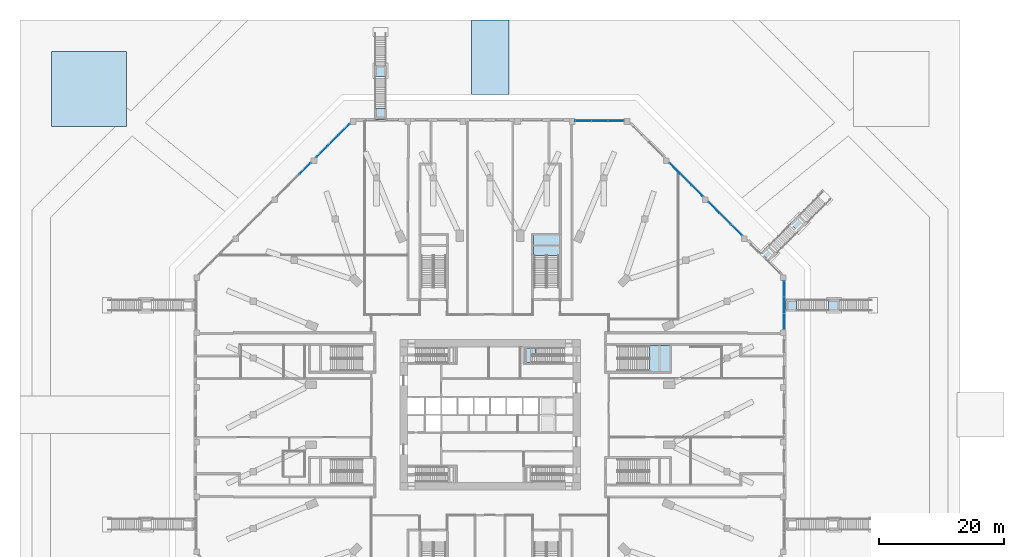
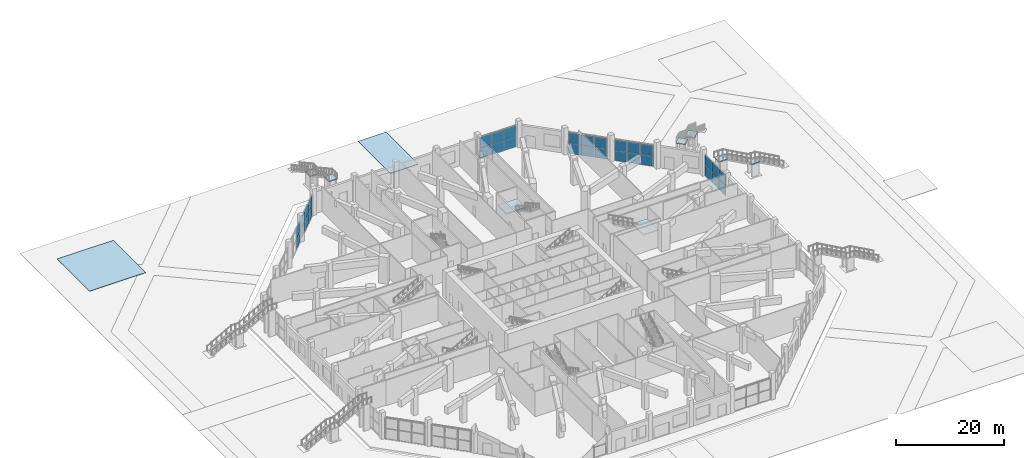
# One storey, part 18 of 36: 32 plates, 11 slabs, 12 elements without a shape of their own.
"""IFC4 building model written with IfcOpenShell, lengths in metres."""

from ifc_helpers import new_model, si_unit, direction, frame, origin, origin_2d, place, context, subcontext, project, spatial, polyline, rectangle, outline, extrude, material, layer, layer_set, constituent, constituent_set, type_object, element, aggregate, save


model = new_model("IFC4")

# Units and contexts
model_context = context("Model", 3, precision=1e-05, world=origin(), true_north=direction((0.0, 1.0)))
body_context = subcontext(model_context, "Body", "Model", "MODEL_VIEW")
ifc_project = project(units=[si_unit("LENGTHUNIT", "METRE"), si_unit("AREAUNIT", "SQUARE_METRE"), si_unit("VOLUMEUNIT", "CUBIC_METRE"), si_unit("PLANEANGLEUNIT", "RADIAN"), si_unit("MASSUNIT", "GRAM", prefix="KILO")], contexts=[model_context])

# Site, building, storey
site_placement = place(None, origin())
site = spatial("IfcSite", under=ifc_project, at=site_placement, CompositionType="ELEMENT")
building_placement = place(site_placement, origin())
building = spatial("IfcBuilding", under=site, at=building_placement, Name="Msitu Wima Residences", CompositionType="ELEMENT")
storey_placement = place(building_placement, origin())
storey = spatial("IfcBuildingStorey", under=building, at=storey_placement, Name="L00", CompositionType="ELEMENT", Elevation=0.0)

# Stair, slabs
ifc_material_1 = material(Name="Concrete C40/50", Category="concrete")
stair_type_1 = type_object("IfcStairType", Name="External stair garden STAIR", PredefinedType="NOTDEFINED", material=ifc_material_1)
stair_1_placement = place(storey_placement, origin())
stair_1 = element("IfcStair", 1, at=stair_1_placement, inside=storey, type_object=stair_type_1, Name="External stair NE1", PredefinedType="NOTDEFINED")
ifc_layer_1 = layer(ifc_material_1, 0.199951171875)
ifc_layer_set_1 = layer_set([ifc_layer_1], Name="Concrete C40/50")
slab_type_1 = type_object("IfcSlabType", Name="External stair landing LD1800", PredefinedType="LANDING", material=ifc_layer_set_1)
slab_1_placement = place(storey_placement, frame((0.0, 0.0, 5.800048828125)))
slab_1 = element("IfcSlab", 2, at=slab_1_placement, type_object=slab_type_1, Name="ES1 landing 1", PredefinedType="LANDING", context=body_context, shape_type="SweptSolid", body=[
    extrude(outline(polyline([(44.530517578125, 24.549560546875), (43.2578125, 25.822509765625), (44.530517578125, 27.09521484375), (45.80322265625, 25.822509765625), (44.530517578125, 24.549560546875)])), origin(), (0.0, 0.0, 1.0), 0.199951171875),
])
slab_2_placement = place(storey_placement, frame((0.0, 0.0, 2.800048828125)))
slab_2 = element("IfcSlab", 3, at=slab_2_placement, type_object=slab_type_1, Name="ES1 landing 2", PredefinedType="LANDING", context=body_context, shape_type="SweptSolid", body=[
    extrude(outline(polyline([(49.190673828125, 29.2099609375), (47.91796875, 30.482666015625), (49.40966796875, 31.97412109375), (50.682373046875, 30.701416015625), (49.190673828125, 29.2099609375)])), origin(), (0.0, 0.0, 1.0), 0.199951171875),
])
aggregate(stair_1, [slab_1, slab_2])

# Slabs
ifc_material_2 = material(Name="Clay pavers")
ifc_layer_2 = layer(ifc_material_2, 0.0400390625, Name="Clay pavers")
ifc_material_3 = material(Name="Concrete C30/37", Category="concrete")
ifc_layer_3 = layer(ifc_material_3, 0.110107421875, Name="Concrete C30/37")
ifc_layer_set_2 = layer_set([ifc_layer_2, ifc_layer_3], Name="Concrete C30/37")
slab_type_2 = type_object("IfcSlabType", Name="Garden paving slab PG150", PredefinedType="USERDEFINED", material=ifc_layer_set_2)
slab_3_placement = place(storey_placement, frame((0.0, 0.0, -0.14990234375)))
element("IfcSlab", 4, at=slab_3_placement, inside=storey, type_object=slab_type_2, Name="Garden path N paving", ObjectType="PAVING", PredefinedType="USERDEFINED", context=body_context, shape_type="SweptSolid", body=[
    extrude(outline(polyline([(3.0, 51.10009765625), (3.0, 63.0), (-3.0, 63.0), (-3.0, 51.10009765625), (3.0, 51.10009765625)])), origin(), (0.0, 0.0, 1.0), 0.14990234375),
])
slab_4_placement = place(storey_placement, frame((0.0, 0.0, -0.14990234375)))
element("IfcSlab", 5, at=slab_4_placement, inside=storey, type_object=slab_type_2, Name="Garden plaza NW paving", ObjectType="PAVING", PredefinedType="USERDEFINED", context=body_context, shape_type="SweptSolid", body=[
    extrude(outline(polyline([(-70.0, 46.0), (-58.0, 46.0), (-58.0, 58.0), (-70.0, 58.0), (-70.0, 46.0)])), origin(), (0.0, 0.0, 1.0), 0.14990234375),
])

# Stair, slabs
ifc_constituent_1 = constituent(ifc_material_1, Name="Concrete C40/50")
ifc_material_4 = material(Name="Exposed aggregate finish")
ifc_constituent_2 = constituent(ifc_material_4, Name="Exposed aggregate finish")
ifc_constituent_set = constituent_set(constituents=[ifc_constituent_1, ifc_constituent_2], Name="Concrete C40/50")
stair_type_2 = type_object("IfcStairType", Name="Garden stair GX1667-180", PredefinedType="STRAIGHT_RUN_STAIR", material=ifc_constituent_set)
stair_2_placement = place(storey_placement, origin())
stair_2 = element("IfcStair", 6, at=stair_2_placement, inside=storey, type_object=stair_type_2, Name="Garden stair 1", PredefinedType="STRAIGHT_RUN_STAIR")
ifc_layer_4 = layer(ifc_material_1, 0.199951171875)
ifc_layer_set_3 = layer_set([ifc_layer_4], Name="Concrete C40/50")
slab_type_3 = type_object("IfcSlabType", Name="Garden stair landing LG200", PredefinedType="LANDING", material=ifc_layer_set_3)
slab_5_placement = place(storey_placement, frame((0.0, 0.0, 5.800048828125)))
slab_5 = element("IfcSlab", 7, at=slab_5_placement, type_object=slab_type_3, Name="GS1 landing 1", PredefinedType="LANDING", context=body_context, shape_type="SweptSolid", body=[
    extrude(outline(polyline([(47.10009765625, 16.584716796875), (47.10009765625, 18.384765625), (48.89990234375, 18.384765625), (48.89990234375, 16.584716796875), (47.10009765625, 16.584716796875)])), origin(), (0.0, 0.0, 1.0), 0.199951171875),
])
slab_6_placement = place(storey_placement, frame((0.0, 0.0, 2.800048828125)))
slab_6 = element("IfcSlab", 8, at=slab_6_placement, type_object=slab_type_3, Name="GS1 landing 2", PredefinedType="LANDING", context=body_context, shape_type="SweptSolid", body=[
    extrude(outline(polyline([(54.0, 16.584716796875), (54.0, 18.384765625), (55.800048828125, 18.384765625), (55.800048828125, 16.584716796875), (54.0, 16.584716796875)])), origin(), (0.0, 0.0, 1.0), 0.199951171875),
])
aggregate(stair_2, [slab_5, slab_6])

stair_3_placement = place(storey_placement, origin())
stair_3 = element("IfcStair", 9, at=stair_3_placement, inside=storey, type_object=stair_type_2, Name="Garden stair 5", PredefinedType="STRAIGHT_RUN_STAIR")
slab_7_placement = place(storey_placement, frame((0.0, 0.0, 5.800048828125)))
slab_7 = element("IfcSlab", 10, at=slab_7_placement, type_object=slab_type_3, Name="GS5 landing 1", PredefinedType="LANDING", context=body_context, shape_type="SweptSolid", body=[
    extrude(outline(polyline([(-16.584716796875, 47.10009765625), (-18.384765625, 47.10009765625), (-18.384765625, 48.89990234375), (-16.584716796875, 48.89990234375), (-16.584716796875, 47.10009765625)])), origin(), (0.0, 0.0, 1.0), 0.199951171875),
])
slab_8_placement = place(storey_placement, frame((0.0, 0.0, 2.800048828125)))
slab_8 = element("IfcSlab", 11, at=slab_8_placement, type_object=slab_type_3, Name="GS5 landing 2", PredefinedType="LANDING", context=body_context, shape_type="SweptSolid", body=[
    extrude(outline(polyline([(-16.584716796875, 54.0), (-18.384765625, 54.0), (-18.384765625, 55.800048828125), (-16.584716796875, 55.800048828125), (-16.584716796875, 54.0)])), origin(), (0.0, 0.0, 1.0), 0.199951171875),
])
aggregate(stair_3, [slab_7, slab_8])

# Curtain wall, plates
ifc_material_5 = material(Name="Anodised aluminium, bronze finish, clear laminated low-emissivity double glazing", Category="aluminium")
curtain_wall_type = type_object("IfcCurtainWallType", Name="Curtain wall CW1 shopfront", PredefinedType="NOTDEFINED", material=ifc_material_5)
curtain_wall_1_placement = place(storey_placement, origin())
curtain_wall_1 = element("IfcCurtainWall", 12, at=curtain_wall_1_placement, inside=storey, type_object=curtain_wall_type, Name="Curtain wall CW1 L00 E4", PredefinedType="NOTDEFINED")
ifc_material_6 = material(Name="Clear laminated low-emissivity double glazing", Category="glass")
ifc_layer_5 = layer(ifc_material_6, 0.035888671875)
ifc_layer_set_4 = layer_set([ifc_layer_5], Name="Clear laminated low-emissivity double glazing")
plate_type = type_object("IfcPlateType", Name="Glass panel CW1 36", PredefinedType="CURTAIN_PANEL", material=ifc_layer_set_4)
plate_1_placement = place(storey_placement, frame((46.89990234375, 14.88671875, 0.06494140625), z_axis=(0.0, 0.0, 1.0), x_axis=(0.0, 1.0, 0.0)))
plate_1 = element("IfcPlate", 13, at=plate_1_placement, type_object=plate_type, Name="CW1 panel 1.1", PredefinedType="CURTAIN_PANEL", context=body_context, shape_type="SweptSolid", body=[
    extrude(rectangle(XDim=2.5166015625, YDim=0.035888671875, at=origin_2d()), origin(), (0.0, 0.0, 1.0), 2.302490234375),
])
plate_2_placement = place(storey_placement, frame((46.89990234375, 14.88671875, 2.4326171875), z_axis=(0.0, 0.0, 1.0), x_axis=(0.0, 1.0, 0.0)))
plate_2 = element("IfcPlate", 14, at=plate_2_placement, type_object=plate_type, Name="CW1 panel 1.2", PredefinedType="CURTAIN_PANEL", context=body_context, shape_type="SweptSolid", body=[
    extrude(rectangle(XDim=2.5166015625, YDim=0.035888671875, at=origin_2d()), origin(), (0.0, 0.0, 1.0), 2.302490234375),
])
plate_3_placement = place(storey_placement, frame((46.89990234375, 17.484619140625, 0.06494140625), z_axis=(0.0, 0.0, 1.0), x_axis=(0.0, 1.0, 0.0)))
plate_3 = element("IfcPlate", 15, at=plate_3_placement, type_object=plate_type, Name="CW1 panel 2.1", PredefinedType="CURTAIN_PANEL", context=body_context, shape_type="SweptSolid", body=[
    extrude(rectangle(XDim=2.549072265625, YDim=0.035888671875, at=origin_2d()), origin(), (0.0, 0.0, 1.0), 2.302490234375),
])
plate_4_placement = place(storey_placement, frame((46.89990234375, 17.484619140625, 2.4326171875), z_axis=(0.0, 0.0, 1.0), x_axis=(0.0, 1.0, 0.0)))
plate_4 = element("IfcPlate", 16, at=plate_4_placement, type_object=plate_type, Name="CW1 panel 2.2", PredefinedType="CURTAIN_PANEL", context=body_context, shape_type="SweptSolid", body=[
    extrude(rectangle(XDim=2.549072265625, YDim=0.035888671875, at=origin_2d()), origin(), (0.0, 0.0, 1.0), 2.302490234375),
])
plate_5_placement = place(storey_placement, frame((46.89990234375, 20.08251953125, 0.06494140625), z_axis=(0.0, 0.0, 1.0), x_axis=(0.0, 1.0, 0.0)))
plate_5 = element("IfcPlate", 17, at=plate_5_placement, type_object=plate_type, Name="CW1 panel 3.1", PredefinedType="CURTAIN_PANEL", context=body_context, shape_type="SweptSolid", body=[
    extrude(rectangle(XDim=2.5166015625, YDim=0.035888671875, at=origin_2d()), origin(), (0.0, 0.0, 1.0), 2.302490234375),
])
plate_6_placement = place(storey_placement, frame((46.89990234375, 20.08251953125, 2.4326171875), z_axis=(0.0, 0.0, 1.0), x_axis=(0.0, 1.0, 0.0)))
plate_6 = element("IfcPlate", 18, at=plate_6_placement, type_object=plate_type, Name="CW1 panel 3.2", PredefinedType="CURTAIN_PANEL", context=body_context, shape_type="SweptSolid", body=[
    extrude(rectangle(XDim=2.5166015625, YDim=0.035888671875, at=origin_2d()), origin(), (0.0, 0.0, 1.0), 2.302490234375),
])
aggregate(curtain_wall_1, [plate_1, plate_2, plate_3, plate_4, plate_5, plate_6])

curtain_wall_2_placement = place(storey_placement, origin())
curtain_wall_2 = element("IfcCurtainWall", 19, at=curtain_wall_2_placement, inside=storey, type_object=curtain_wall_type, Name="Curtain wall CW1 L00 NE1", PredefinedType="NOTDEFINED")
plate_7_placement = place(storey_placement, frame((39.283935546875, 29.513427734375, 0.06494140625), z_axis=(0.0, 0.0, 1.0), x_axis=(-0.707106781187, 0.707106781187, 0.0)))
plate_7 = element("IfcPlate", 20, at=plate_7_placement, type_object=plate_type, Name="CW1 panel 1.1", PredefinedType="CURTAIN_PANEL", context=body_context, shape_type="SweptSolid", body=[
    extrude(rectangle(XDim=2.41796875, YDim=0.035888671875, at=origin_2d()), origin(), (0.0, 0.0, 1.0), 2.302490234375),
])
plate_8_placement = place(storey_placement, frame((39.283935546875, 29.513427734375, 2.4326171875), z_axis=(0.0, 0.0, 1.0), x_axis=(-0.707106781187, 0.707106781187, 0.0)))
plate_8 = element("IfcPlate", 21, at=plate_8_placement, type_object=plate_type, Name="CW1 panel 1.2", PredefinedType="CURTAIN_PANEL", context=body_context, shape_type="SweptSolid", body=[
    extrude(rectangle(XDim=2.41796875, YDim=0.035888671875, at=origin_2d()), origin(), (0.0, 0.0, 1.0), 2.302490234375),
])
plate_9_placement = place(storey_placement, frame((37.5166015625, 31.280517578125, 0.06494140625), z_axis=(0.0, 0.0, 1.0), x_axis=(-0.707106781187, 0.707106781187, 0.0)))
plate_9 = element("IfcPlate", 22, at=plate_9_placement, type_object=plate_type, Name="CW1 panel 2.1", PredefinedType="CURTAIN_PANEL", context=body_context, shape_type="SweptSolid", body=[
    extrude(rectangle(XDim=2.450439453125, YDim=0.035888671875, at=origin_2d()), origin(), (0.0, 0.0, 1.0), 2.302490234375),
])
plate_10_placement = place(storey_placement, frame((37.5166015625, 31.280517578125, 2.4326171875), z_axis=(0.0, 0.0, 1.0), x_axis=(-0.707106781187, 0.707106781187, 0.0)))
plate_10 = element("IfcPlate", 23, at=plate_10_placement, type_object=plate_type, Name="CW1 panel 2.2", PredefinedType="CURTAIN_PANEL", context=body_context, shape_type="SweptSolid", body=[
    extrude(rectangle(XDim=2.450439453125, YDim=0.035888671875, at=origin_2d()), origin(), (0.0, 0.0, 1.0), 2.302490234375),
])
plate_11_placement = place(storey_placement, frame((35.74951171875, 33.0478515625, 0.06494140625), z_axis=(0.0, 0.0, 1.0), x_axis=(-0.707106781187, 0.707106781187, 0.0)))
plate_11 = element("IfcPlate", 24, at=plate_11_placement, type_object=plate_type, Name="CW1 panel 3.1", PredefinedType="CURTAIN_PANEL", context=body_context, shape_type="SweptSolid", body=[
    extrude(rectangle(XDim=2.41796875, YDim=0.035888671875, at=origin_2d()), origin(), (0.0, 0.0, 1.0), 2.302490234375),
])
plate_12_placement = place(storey_placement, frame((35.74951171875, 33.0478515625, 2.4326171875), z_axis=(0.0, 0.0, 1.0), x_axis=(-0.707106781187, 0.707106781187, 0.0)))
plate_12 = element("IfcPlate", 25, at=plate_12_placement, type_object=plate_type, Name="CW1 panel 3.2", PredefinedType="CURTAIN_PANEL", context=body_context, shape_type="SweptSolid", body=[
    extrude(rectangle(XDim=2.41796875, YDim=0.035888671875, at=origin_2d()), origin(), (0.0, 0.0, 1.0), 2.302490234375),
])
aggregate(curtain_wall_2, [plate_7, plate_8, plate_9, plate_10, plate_11, plate_12])

curtain_wall_3_placement = place(storey_placement, origin())
curtain_wall_3 = element("IfcCurtainWall", 26, at=curtain_wall_3_placement, inside=storey, type_object=curtain_wall_type, Name="Curtain wall CW1 L00 NE2", PredefinedType="NOTDEFINED")
plate_13_placement = place(storey_placement, frame((33.0478515625, 35.74951171875, 0.06494140625), z_axis=(0.0, 0.0, 1.0), x_axis=(-0.707106781187, 0.707106781187, 0.0)))
plate_13 = element("IfcPlate", 27, at=plate_13_placement, type_object=plate_type, Name="CW1 panel 1.1", PredefinedType="CURTAIN_PANEL", context=body_context, shape_type="SweptSolid", body=[
    extrude(rectangle(XDim=2.41796875, YDim=0.035888671875, at=origin_2d()), origin(), (0.0, 0.0, 1.0), 2.302490234375),
])
plate_14_placement = place(storey_placement, frame((33.0478515625, 35.74951171875, 2.4326171875), z_axis=(0.0, 0.0, 1.0), x_axis=(-0.707106781187, 0.707106781187, 0.0)))
plate_14 = element("IfcPlate", 28, at=plate_14_placement, type_object=plate_type, Name="CW1 panel 1.2", PredefinedType="CURTAIN_PANEL", context=body_context, shape_type="SweptSolid", body=[
    extrude(rectangle(XDim=2.41796875, YDim=0.035888671875, at=origin_2d()), origin(), (0.0, 0.0, 1.0), 2.302490234375),
])
plate_15_placement = place(storey_placement, frame((31.280517578125, 37.5166015625, 0.06494140625), z_axis=(0.0, 0.0, 1.0), x_axis=(-0.707106781187, 0.707106781187, 0.0)))
plate_15 = element("IfcPlate", 29, at=plate_15_placement, type_object=plate_type, Name="CW1 panel 2.1", PredefinedType="CURTAIN_PANEL", context=body_context, shape_type="SweptSolid", body=[
    extrude(rectangle(XDim=2.450439453125, YDim=0.035888671875, at=origin_2d()), origin(), (0.0, 0.0, 1.0), 2.302490234375),
])
plate_16_placement = place(storey_placement, frame((31.280517578125, 37.5166015625, 2.4326171875), z_axis=(0.0, 0.0, 1.0), x_axis=(-0.707106781187, 0.707106781187, 0.0)))
plate_16 = element("IfcPlate", 30, at=plate_16_placement, type_object=plate_type, Name="CW1 panel 2.2", PredefinedType="CURTAIN_PANEL", context=body_context, shape_type="SweptSolid", body=[
    extrude(rectangle(XDim=2.450439453125, YDim=0.035888671875, at=origin_2d()), origin(), (0.0, 0.0, 1.0), 2.302490234375),
])
plate_17_placement = place(storey_placement, frame((29.513427734375, 39.283935546875, 0.06494140625), z_axis=(0.0, 0.0, 1.0), x_axis=(-0.707106781187, 0.707106781187, 0.0)))
plate_17 = element("IfcPlate", 31, at=plate_17_placement, type_object=plate_type, Name="CW1 panel 3.1", PredefinedType="CURTAIN_PANEL", context=body_context, shape_type="SweptSolid", body=[
    extrude(rectangle(XDim=2.41796875, YDim=0.035888671875, at=origin_2d()), origin(), (0.0, 0.0, 1.0), 2.302490234375),
])
plate_18_placement = place(storey_placement, frame((29.513427734375, 39.283935546875, 2.4326171875), z_axis=(0.0, 0.0, 1.0), x_axis=(-0.707106781187, 0.707106781187, 0.0)))
plate_18 = element("IfcPlate", 32, at=plate_18_placement, type_object=plate_type, Name="CW1 panel 3.2", PredefinedType="CURTAIN_PANEL", context=body_context, shape_type="SweptSolid", body=[
    extrude(rectangle(XDim=2.41796875, YDim=0.035888671875, at=origin_2d()), origin(), (0.0, 0.0, 1.0), 2.302490234375),
])
aggregate(curtain_wall_3, [plate_13, plate_14, plate_15, plate_16, plate_17, plate_18])

curtain_wall_4_placement = place(storey_placement, origin())
curtain_wall_4 = element("IfcCurtainWall", 33, at=curtain_wall_4_placement, inside=storey, type_object=curtain_wall_type, Name="Curtain wall CW1 L00 N0", PredefinedType="NOTDEFINED")
plate_19_placement = place(storey_placement, frame((20.08251953125, 46.89990234375, 0.06494140625), z_axis=(0.0, 0.0, 1.0), x_axis=(-1.0, 0.0, 0.0)))
plate_19 = element("IfcPlate", 34, at=plate_19_placement, type_object=plate_type, Name="CW1 panel 1.1", PredefinedType="CURTAIN_PANEL", context=body_context, shape_type="SweptSolid", body=[
    extrude(rectangle(XDim=2.5166015625, YDim=0.035888671875, at=origin_2d()), origin(), (0.0, 0.0, 1.0), 2.302490234375),
])
plate_20_placement = place(storey_placement, frame((20.08251953125, 46.89990234375, 2.4326171875), z_axis=(0.0, 0.0, 1.0), x_axis=(-1.0, 0.0, 0.0)))
plate_20 = element("IfcPlate", 35, at=plate_20_placement, type_object=plate_type, Name="CW1 panel 1.2", PredefinedType="CURTAIN_PANEL", context=body_context, shape_type="SweptSolid", body=[
    extrude(rectangle(XDim=2.5166015625, YDim=0.035888671875, at=origin_2d()), origin(), (0.0, 0.0, 1.0), 2.302490234375),
])
plate_21_placement = place(storey_placement, frame((17.484619140625, 46.89990234375, 0.06494140625), z_axis=(0.0, 0.0, 1.0), x_axis=(-1.0, 0.0, 0.0)))
plate_21 = element("IfcPlate", 36, at=plate_21_placement, type_object=plate_type, Name="CW1 panel 2.1", PredefinedType="CURTAIN_PANEL", context=body_context, shape_type="SweptSolid", body=[
    extrude(rectangle(XDim=2.549072265625, YDim=0.035888671875, at=origin_2d()), origin(), (0.0, 0.0, 1.0), 2.302490234375),
])
plate_22_placement = place(storey_placement, frame((17.484619140625, 46.89990234375, 2.4326171875), z_axis=(0.0, 0.0, 1.0), x_axis=(-1.0, 0.0, 0.0)))
plate_22 = element("IfcPlate", 37, at=plate_22_placement, type_object=plate_type, Name="CW1 panel 2.2", PredefinedType="CURTAIN_PANEL", context=body_context, shape_type="SweptSolid", body=[
    extrude(rectangle(XDim=2.549072265625, YDim=0.035888671875, at=origin_2d()), origin(), (0.0, 0.0, 1.0), 2.302490234375),
])
plate_23_placement = place(storey_placement, frame((14.88671875, 46.89990234375, 0.06494140625), z_axis=(0.0, 0.0, 1.0), x_axis=(-1.0, 0.0, 0.0)))
plate_23 = element("IfcPlate", 38, at=plate_23_placement, type_object=plate_type, Name="CW1 panel 3.1", PredefinedType="CURTAIN_PANEL", context=body_context, shape_type="SweptSolid", body=[
    extrude(rectangle(XDim=2.5166015625, YDim=0.035888671875, at=origin_2d()), origin(), (0.0, 0.0, 1.0), 2.302490234375),
])
plate_24_placement = place(storey_placement, frame((14.88671875, 46.89990234375, 2.4326171875), z_axis=(0.0, 0.0, 1.0), x_axis=(-1.0, 0.0, 0.0)))
plate_24 = element("IfcPlate", 39, at=plate_24_placement, type_object=plate_type, Name="CW1 panel 3.2", PredefinedType="CURTAIN_PANEL", context=body_context, shape_type="SweptSolid", body=[
    extrude(rectangle(XDim=2.5166015625, YDim=0.035888671875, at=origin_2d()), origin(), (0.0, 0.0, 1.0), 2.302490234375),
])
aggregate(curtain_wall_4, [plate_19, plate_20, plate_21, plate_22, plate_23, plate_24])

curtain_wall_5_placement = place(storey_placement, origin())
curtain_wall_5 = element("IfcCurtainWall", 40, at=curtain_wall_5_placement, inside=storey, type_object=curtain_wall_type, Name="Curtain wall CW1 L00 NW0", PredefinedType="NOTDEFINED")
plate_25_placement = place(storey_placement, frame((-23.27734375, 45.519775390625, 0.06494140625), z_axis=(0.0, 0.0, 1.0), x_axis=(-0.707106781187, -0.707106781187, 0.0)))
plate_25 = element("IfcPlate", 41, at=plate_25_placement, type_object=plate_type, Name="CW1 panel 1.1", PredefinedType="CURTAIN_PANEL", context=body_context, shape_type="SweptSolid", body=[
    extrude(rectangle(XDim=2.41796875, YDim=0.035888671875, at=origin_2d()), origin(), (0.0, 0.0, 1.0), 2.302490234375),
])
plate_26_placement = place(storey_placement, frame((-23.27734375, 45.519775390625, 2.4326171875), z_axis=(0.0, 0.0, 1.0), x_axis=(-0.707106781187, -0.707106781187, 0.0)))
plate_26 = element("IfcPlate", 42, at=plate_26_placement, type_object=plate_type, Name="CW1 panel 1.2", PredefinedType="CURTAIN_PANEL", context=body_context, shape_type="SweptSolid", body=[
    extrude(rectangle(XDim=2.41796875, YDim=0.035888671875, at=origin_2d()), origin(), (0.0, 0.0, 1.0), 2.302490234375),
])
plate_27_placement = place(storey_placement, frame((-25.044677734375, 43.752685546875, 0.06494140625), z_axis=(0.0, 0.0, 1.0), x_axis=(-0.707106781187, -0.707106781187, 0.0)))
plate_27 = element("IfcPlate", 43, at=plate_27_placement, type_object=plate_type, Name="CW1 panel 2.1", PredefinedType="CURTAIN_PANEL", context=body_context, shape_type="SweptSolid", body=[
    extrude(rectangle(XDim=2.450439453125, YDim=0.035888671875, at=origin_2d()), origin(), (0.0, 0.0, 1.0), 2.302490234375),
])
plate_28_placement = place(storey_placement, frame((-25.044677734375, 43.752685546875, 2.4326171875), z_axis=(0.0, 0.0, 1.0), x_axis=(-0.707106781187, -0.707106781187, 0.0)))
plate_28 = element("IfcPlate", 44, at=plate_28_placement, type_object=plate_type, Name="CW1 panel 2.2", PredefinedType="CURTAIN_PANEL", context=body_context, shape_type="SweptSolid", body=[
    extrude(rectangle(XDim=2.450439453125, YDim=0.035888671875, at=origin_2d()), origin(), (0.0, 0.0, 1.0), 2.302490234375),
])
plate_29_placement = place(storey_placement, frame((-26.811767578125, 41.985595703125, 0.06494140625), z_axis=(0.0, 0.0, 1.0), x_axis=(-0.707106781187, -0.707106781187, 0.0)))
plate_29 = element("IfcPlate", 45, at=plate_29_placement, type_object=plate_type, Name="CW1 panel 3.1", PredefinedType="CURTAIN_PANEL", context=body_context, shape_type="SweptSolid", body=[
    extrude(rectangle(XDim=2.41796875, YDim=0.035888671875, at=origin_2d()), origin(), (0.0, 0.0, 1.0), 2.302490234375),
])
plate_30_placement = place(storey_placement, frame((-26.811767578125, 41.985595703125, 2.4326171875), z_axis=(0.0, 0.0, 1.0), x_axis=(-0.707106781187, -0.707106781187, 0.0)))
plate_30 = element("IfcPlate", 46, at=plate_30_placement, type_object=plate_type, Name="CW1 panel 3.2", PredefinedType="CURTAIN_PANEL", context=body_context, shape_type="SweptSolid", body=[
    extrude(rectangle(XDim=2.41796875, YDim=0.035888671875, at=origin_2d()), origin(), (0.0, 0.0, 1.0), 2.302490234375),
])
aggregate(curtain_wall_5, [plate_25, plate_26, plate_27, plate_28, plate_29, plate_30])

curtain_wall_6_placement = place(storey_placement, origin())
curtain_wall_6 = element("IfcCurtainWall", 47, at=curtain_wall_6_placement, inside=storey, type_object=curtain_wall_type, Name="Curtain wall CW1 L00 NW1", PredefinedType="NOTDEFINED")
plate_31_placement = place(storey_placement, frame((-29.513427734375, 39.283935546875, 0.06494140625), z_axis=(0.0, 0.0, 1.0), x_axis=(-0.707106781187, -0.707106781187, 0.0)))
plate_31 = element("IfcPlate", 48, at=plate_31_placement, type_object=plate_type, Name="CW1 panel 1.1", PredefinedType="CURTAIN_PANEL", context=body_context, shape_type="SweptSolid", body=[
    extrude(rectangle(XDim=2.41796875, YDim=0.035888671875, at=origin_2d()), origin(), (0.0, 0.0, 1.0), 2.302490234375),
])
plate_32_placement = place(storey_placement, frame((-29.513427734375, 39.283935546875, 2.4326171875), z_axis=(0.0, 0.0, 1.0), x_axis=(-0.707106781187, -0.707106781187, 0.0)))
plate_32 = element("IfcPlate", 49, at=plate_32_placement, type_object=plate_type, Name="CW1 panel 1.2", PredefinedType="CURTAIN_PANEL", context=body_context, shape_type="SweptSolid", body=[
    extrude(rectangle(XDim=2.41796875, YDim=0.035888671875, at=origin_2d()), origin(), (0.0, 0.0, 1.0), 2.302490234375),
])
aggregate(curtain_wall_6, [plate_31, plate_32])

# Stair, slab
stair_type_3 = type_object("IfcStairType", Name="Exit stair ES1667-110", PredefinedType="HALF_TURN_STAIR", material=ifc_material_1)
stair_4_placement = place(storey_placement, origin())
stair_4 = element("IfcStair", 50, at=stair_4_placement, inside=storey, type_object=stair_type_3, Name="Exit stair 3", PredefinedType="HALF_TURN_STAIR")
ifc_layer_6 = layer(ifc_material_1, 0.199951171875)
ifc_layer_set_5 = layer_set([ifc_layer_6], Name="Concrete C40/50")
slab_type_4 = type_object("IfcSlabType", Name="Stair landing SL200", PredefinedType="LANDING", material=ifc_layer_set_5)
slab_9_placement = place(storey_placement, frame((0.0, 0.0, 2.800048828125)))
slab_9 = element("IfcSlab", 51, at=slab_9_placement, type_object=slab_type_4, Name="S3 landing 1", PredefinedType="LANDING", context=body_context, shape_type="SweptSolid", body=[
    extrude(outline(polyline([(5.52490234375, 8.324951171875), (6.775390625, 8.324951171875), (6.775390625, 9.5), (7.27490234375, 9.5), (7.27490234375, 10.675048828125), (5.52490234375, 10.675048828125), (5.52490234375, 8.324951171875)])), origin(), (0.0, 0.0, 1.0), 0.199951171875),
])
aggregate(stair_4, [slab_9])

stair_type_4 = type_object("IfcStairType", Name="Podium exit stair PX1667-190", PredefinedType="HALF_TURN_STAIR", material=ifc_material_1)
stair_5_placement = place(storey_placement, origin())
stair_5 = element("IfcStair", 52, at=stair_5_placement, inside=storey, type_object=stair_type_4, Name="Podium exit stair 1", PredefinedType="HALF_TURN_STAIR")
slab_10_placement = place(storey_placement, frame((0.0, 0.0, 2.800048828125)))
slab_10 = element("IfcSlab", 53, at=slab_10_placement, type_object=slab_type_4, Name="PS1 landing 1", PredefinedType="LANDING", context=body_context, shape_type="SweptSolid", body=[
    extrude(outline(polyline([(25.425048828125, 6.925048828125), (28.675048828125, 6.925048828125), (28.675048828125, 11.074951171875), (25.425048828125, 11.074951171875), (25.425048828125, 6.925048828125)])), origin(), (0.0, 0.0, 1.0), 0.199951171875),
])
aggregate(stair_5, [slab_10])

stair_6_placement = place(storey_placement, origin())
stair_6 = element("IfcStair", 54, at=stair_6_placement, inside=storey, type_object=stair_type_4, Name="Podium exit stair 4", PredefinedType="HALF_TURN_STAIR")
slab_11_placement = place(storey_placement, frame((0.0, 0.0, 2.800048828125)))
slab_11 = element("IfcSlab", 55, at=slab_11_placement, type_object=slab_type_4, Name="PS4 landing 1", PredefinedType="LANDING", context=body_context, shape_type="SweptSolid", body=[
    extrude(outline(polyline([(6.925048828125, 25.425048828125), (6.925048828125, 28.675048828125), (11.074951171875, 28.675048828125), (11.074951171875, 25.425048828125), (6.925048828125, 25.425048828125)])), origin(), (0.0, 0.0, 1.0), 0.199951171875),
])
aggregate(stair_6, [slab_11])

save(model, "model.ifc")
